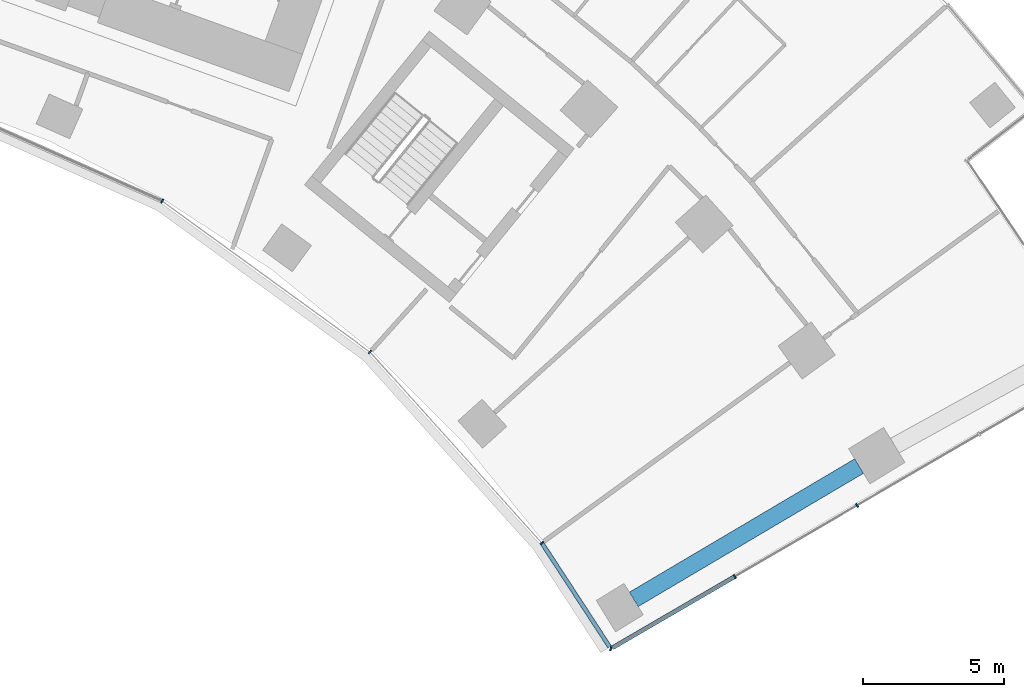
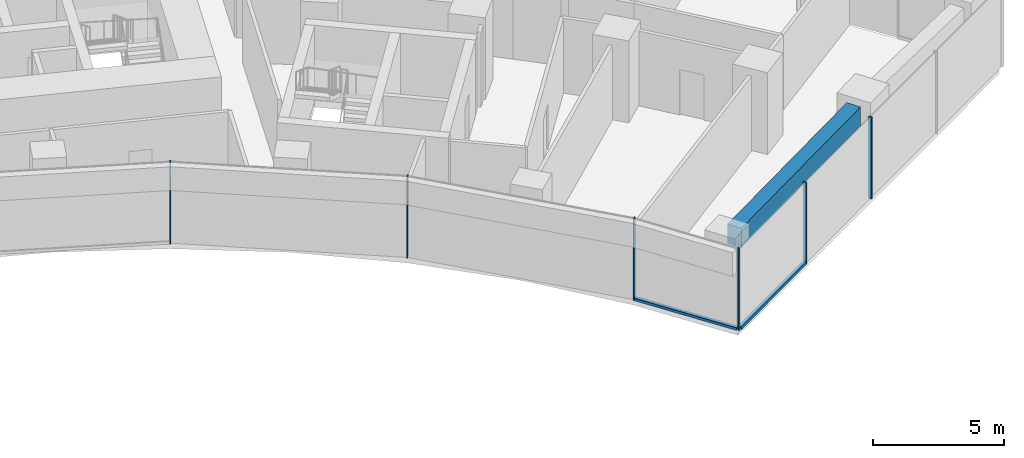
# One storey, part 7 of 21: 8 members, 1 beam, 2 elements without a shape of their own.
"""IFC4 building model written with IfcOpenShell, lengths in metres."""

from ifc_helpers import new_model, si_unit, direction, frame, origin, origin_2d, place, context, subcontext, project, spatial, rectangle, extrude, material, layer, layer_set, material_profile, profile_set, type_object, element, aggregate, save


model = new_model("IFC4")

# Units and contexts
model_context = context("Model", 3, precision=1e-05, world=origin(), true_north=direction((0.0, 1.0)))
body_context = subcontext(model_context, "Body", "Model", "MODEL_VIEW")
ifc_project = project(units=[si_unit("LENGTHUNIT", "METRE"), si_unit("AREAUNIT", "SQUARE_METRE"), si_unit("VOLUMEUNIT", "CUBIC_METRE"), si_unit("PLANEANGLEUNIT", "RADIAN"), si_unit("MASSUNIT", "GRAM", prefix="KILO")], contexts=[model_context])

# Site, building, storey
site_placement = place(None, origin())
site = spatial("IfcSite", under=ifc_project, at=site_placement, CompositionType="ELEMENT")
building_placement = place(site_placement, origin())
building = spatial("IfcBuilding", under=site, at=building_placement, Name="Stone Belt Terrace Tower", CompositionType="ELEMENT")
storey_placement = place(building_placement, frame((0.0, 0.0, 113.60009765625)))
storey = spatial("IfcBuildingStorey", under=building, at=storey_placement, Name="L27", CompositionType="ELEMENT", Elevation=113.60009765625)

# Curtain wall, members
ifc_material_1 = material(Name="Aluminium 6063-T6 anodised frame", Category="aluminium")
ifc_layer_1 = layer(ifc_material_1, 0.14990234375)
ifc_layer_set_1 = layer_set([ifc_layer_1], Name="CW-B unitised concave-face curtain wall")
curtain_wall_type_1 = type_object("IfcCurtainWallType", Name="CW-B unitised concave-face curtain wall", PredefinedType="NOTDEFINED", material=ifc_layer_set_1)
curtain_wall_1_placement = place(storey_placement, origin())
curtain_wall_1 = element("IfcCurtainWall", 1, at=curtain_wall_1_placement, inside=storey, type_object=curtain_wall_type_1, Name="CW-B concave face L27", PredefinedType="NOTDEFINED")
ifc_material_profile_1 = material_profile(ifc_material_1, rectangle(XDim=0.14990234375, YDim=0.050048828125, at=origin_2d()), Name="Aluminium 6063-T6 50x150")
ifc_profile_set_1 = profile_set([ifc_material_profile_1], Name="Aluminium 6063-T6 anodised frame")
member_type_1 = type_object("IfcMemberType", Name="CW-B mullion 50 x 150", PredefinedType="MULLION", material=ifc_profile_set_1)
member_1_placement = place(storey_placement, frame((21.71240234375, 37.606689453125, 0.0), z_axis=(0.0, 0.0, 1.0), x_axis=(0.5, 0.866025403784, 0.0)))
member_1 = element("IfcMember", 2, at=member_1_placement, type_object=member_type_1, Name="CW-B mullion 8", PredefinedType="MULLION", context=body_context, shape_type="SweptSolid", body=[
    extrude(rectangle(XDim=0.14990234375, YDim=0.050048828125, at=origin_2d()), origin(), (0.0, 0.0, 1.0), 3.7998046875),
])
member_2_placement = place(storey_placement, frame((29.056640625, 32.270751953125, 0.0), z_axis=(0.0, 0.0, 1.0), x_axis=(0.669130606359, 0.743144825477, 0.0)))
member_2 = element("IfcMember", 3, at=member_2_placement, type_object=member_type_1, Name="CW-B mullion 9", PredefinedType="MULLION", context=body_context, shape_type="SweptSolid", body=[
    extrude(rectangle(XDim=0.14990234375, YDim=0.050048828125, at=origin_2d()), origin(), (0.0, 0.0, 1.0), 3.7998046875),
])
member_3_placement = place(storey_placement, frame((35.132568359375, 25.522705078125, 0.0), z_axis=(0.0, 0.0, 1.0), x_axis=(0.792811047542, 0.609467507662, 0.0)))
member_3 = element("IfcMember", 4, at=member_3_placement, type_object=member_type_1, Name="CW-B mullion 10", PredefinedType="MULLION", context=body_context, shape_type="SweptSolid", body=[
    extrude(rectangle(XDim=0.14990234375, YDim=0.050048828125, at=origin_2d()), origin(), (0.0, 0.0, 1.0), 3.7998046875),
])
ifc_material_profile_2 = material_profile(ifc_material_1, rectangle(XDim=0.14990234375, YDim=0.1201171875, at=origin_2d()), Name="Aluminium 6063-T6 150x120")
ifc_profile_set_2 = profile_set([ifc_material_profile_2], Name="Aluminium 6063-T6 anodised frame")
member_type_2 = type_object("IfcMemberType", Name="CW-B transom 120 x 150", PredefinedType="USERDEFINED", material=ifc_profile_set_2)
member_4_placement = place(storey_placement, frame((35.1494140625, 25.4970703125, 0.059814453125), z_axis=(0.546136356084, -0.83769629375, 0.0), x_axis=(0.83769629375, 0.546136356084, 0.0)))
member_4 = element("IfcMember", 5, at=member_4_placement, type_object=member_type_2, Name="CW-B transom 10.1", ObjectType="TRANSOM", PredefinedType="USERDEFINED", context=body_context, shape_type="SweptSolid", body=[
    extrude(rectangle(XDim=0.14990234375, YDim=0.1201171875, at=origin_2d()), origin(), (0.0, 0.0, 1.0), 4.363525390625),
])
aggregate(curtain_wall_1, [member_1, member_2, member_3, member_4])

ifc_layer_2 = layer(ifc_material_1, 0.14990234375)
ifc_layer_set_2 = layer_set([ifc_layer_2], Name="CW-C stick curtain wall, horn ends and notches")
curtain_wall_type_2 = type_object("IfcCurtainWallType", Name="CW-C stick curtain wall, horn ends and notches", PredefinedType="NOTDEFINED", material=ifc_layer_set_2)
curtain_wall_2_placement = place(storey_placement, origin())
curtain_wall_2 = element("IfcCurtainWall", 6, at=curtain_wall_2_placement, inside=storey, type_object=curtain_wall_type_2, Name="CW-C end face L27", PredefinedType="NOTDEFINED")
ifc_material_profile_3 = material_profile(ifc_material_1, rectangle(XDim=0.14990234375, YDim=0.06005859375, at=origin_2d()), Name="Aluminium 6063-T6 60x150")
ifc_profile_set_3 = profile_set([ifc_material_profile_3], Name="Aluminium 6063-T6 anodised frame")
member_type_3 = type_object("IfcMemberType", Name="CW-C mullion 60 x 150", PredefinedType="MULLION", material=ifc_profile_set_3)
member_5_placement = place(storey_placement, frame((37.570556640625, 21.783447265625, 0.0), z_axis=(0.0, 0.0, 1.0), x_axis=(0.230847440535, 0.972989958426, 0.0)))
member_5 = element("IfcMember", 7, at=member_5_placement, type_object=member_type_3, Name="CW-C mullion 1", PredefinedType="MULLION", context=body_context, shape_type="SweptSolid", body=[
    extrude(rectangle(XDim=0.14990234375, YDim=0.06005859375, at=origin_2d()), origin(), (0.0, 0.0, 1.0), 3.7998046875),
])
member_6_placement = place(storey_placement, frame((41.953369140625, 24.334716796875, 0.0), z_axis=(0.0, 0.0, 1.0), x_axis=(-0.503080901861, 0.864239322284, 0.0)))
member_6 = element("IfcMember", 8, at=member_6_placement, type_object=member_type_3, Name="CW-C mullion 2", PredefinedType="MULLION", context=body_context, shape_type="SweptSolid", body=[
    extrude(rectangle(XDim=0.14990234375, YDim=0.06005859375, at=origin_2d()), origin(), (0.0, 0.0, 1.0), 3.7998046875),
])
member_7_placement = place(storey_placement, frame((46.2744140625, 26.85009765625, 0.0), z_axis=(0.0, 0.0, 1.0), x_axis=(-0.503080901861, 0.864239322284, 0.0)))
member_7 = element("IfcMember", 9, at=member_7_placement, type_object=member_type_3, Name="CW-C mullion 3", PredefinedType="MULLION", context=body_context, shape_type="SweptSolid", body=[
    extrude(rectangle(XDim=0.14990234375, YDim=0.06005859375, at=origin_2d()), origin(), (0.0, 0.0, 1.0), 3.7998046875),
])
ifc_material_profile_4 = material_profile(ifc_material_1, rectangle(XDim=0.14990234375, YDim=0.1201171875, at=origin_2d()), Name="Aluminium 6063-T6 150x120")
ifc_profile_set_4 = profile_set([ifc_material_profile_4], Name="Aluminium 6063-T6 anodised frame")
member_type_4 = type_object("IfcMemberType", Name="CW-C transom 120 x 150", PredefinedType="USERDEFINED", material=ifc_profile_set_4)
member_8_placement = place(storey_placement, frame((37.634033203125, 21.8203125, 0.059814453125), z_axis=(0.864238402529, 0.5030824819, 0.0), x_axis=(-0.5030824819, 0.864238402529, 0.0)))
member_8 = element("IfcMember", 10, at=member_8_placement, type_object=member_type_4, Name="CW-C transom 1.1", ObjectType="TRANSOM", PredefinedType="USERDEFINED", context=body_context, shape_type="SweptSolid", body=[
    extrude(rectangle(XDim=0.14990234375, YDim=0.1201171875, at=origin_2d()), origin(), (0.0, 0.0, 1.0), 4.968017578125),
])
aggregate(curtain_wall_2, [member_5, member_6, member_7, member_8])

# Beam
ifc_material_2 = material(Name="Concrete B60", Category="concrete")
ifc_material_profile_5 = material_profile(ifc_material_2, rectangle(XDim=0.60009765625, YDim=0.89990234375, at=origin_2d()), Name="RC 600x900")
ifc_profile_set_5 = profile_set([ifc_material_profile_5], Name="Concrete B60")
beam_type = type_object("IfcBeamType", Name="Edge beam RC 600x900 B60", PredefinedType="SPANDREL", material=ifc_profile_set_5)
beam_placement = place(storey_placement, frame((38.3828125, 23.52783203125, 3.02978515625), z_axis=(0.860646513691, 0.509202885372, 0.0), x_axis=(-0.509202885372, 0.860646513691, 0.0)))
element("IfcBeam", 11, at=beam_placement, inside=storey, type_object=beam_type, Name="Edge beam L27 B P to Q", PredefinedType="SPANDREL", context=body_context, shape_type="SweptSolid", body=[
    extrude(rectangle(XDim=0.60009765625, YDim=0.89990234375, at=origin_2d()), origin(), (0.0, 0.0, 1.0), 9.255859375),
])

save(model, "model.ifc")
